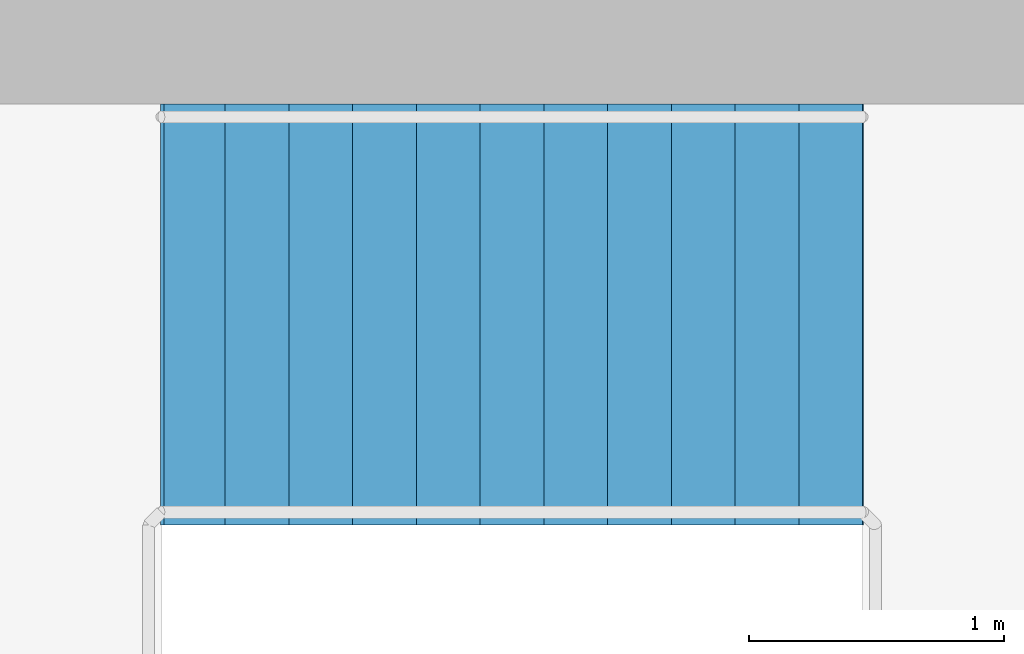
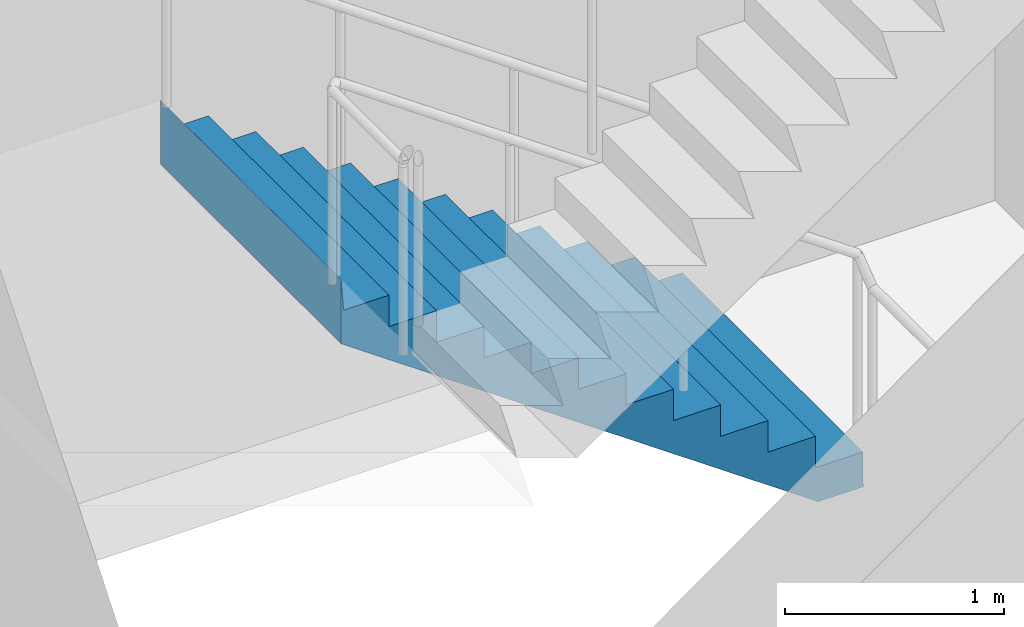
# One storey, part 18 of 19: 1 stair flight, 1 element without a shape of its own.
"""IFC4 building model written with IfcOpenShell, lengths in metres."""

from ifc_helpers import new_model, si_unit, direction, frame, origin, place, context, subcontext, project, spatial, triangles, material, type_object, element, aggregate, save


model = new_model("IFC4")

# Units and contexts
model_context = context("Model", 3, precision=1e-05, world=origin(), true_north=direction((0.0, 1.0)))
body_context = subcontext(model_context, "Body", "Model", "MODEL_VIEW")
ifc_project = project(units=[si_unit("LENGTHUNIT", "METRE"), si_unit("AREAUNIT", "SQUARE_METRE"), si_unit("VOLUMEUNIT", "CUBIC_METRE"), si_unit("PLANEANGLEUNIT", "RADIAN"), si_unit("MASSUNIT", "GRAM", prefix="KILO")], contexts=[model_context])

# Site, building, storey
site_placement = place(None, origin())
site = spatial("IfcSite", under=ifc_project, at=site_placement, CompositionType="ELEMENT")
building_placement = place(site_placement, origin())
building = spatial("IfcBuilding", under=site, at=building_placement, Name="Maasbend Ring Residences", CompositionType="ELEMENT")
storey_placement = place(building_placement, frame((0.0, 0.0, 53.300048828125)))
storey = spatial("IfcBuildingStorey", under=building, at=storey_placement, Name="L15", CompositionType="ELEMENT", Elevation=53.300048828125)

# Stair, stair flight
ifc_material_1 = material(Name="Concrete C40/50", Category="concrete")
stair_type = type_object("IfcStairType", Name="CORE STAIR 24 RISERS", PredefinedType="HALF_TURN_STAIR", material=ifc_material_1)
stair_placement = place(storey_placement, origin())
stair = element("IfcStair", 1, at=stair_placement, inside=storey, type_object=stair_type, Name="L15 Exit stair ST-E1", PredefinedType="HALF_TURN_STAIR")
ifc_material_2 = material(Name="Concrete C40/50", Category="concrete")
stair_flight_type = type_object("IfcStairFlightType", Name="CORE STAIR FLIGHT 1650", PredefinedType="STRAIGHT", material=ifc_material_2)
stair_flight_placement = place(storey_placement, frame((13.550048828125, 7.77490234375, 0.0), z_axis=(0.0, 0.0, 1.0), x_axis=(-1.0, 0.0, 0.0)))
stair_flight = element("IfcStairFlight", 2, at=stair_flight_placement, type_object=stair_flight_type, Name="ST-E1 flight 1", NumberOfRisers=12, NumberOfTreads=11, PredefinedType="STRAIGHT", RiserHeight=0.175, TreadLength=0.25, context=body_context, shape_type="Tessellation", body=[
    triangles([(0.23583984375, 0.824951171875, -0.02001953125), (2.7529296875, 0.824951171875, 1.741943359375), (2.7529296875, 0.824951171875, 2.10009765625), (2.739990234375, 0.824951171875, 1.925048828125), (2.5, 0.824951171875, 1.925048828125), (2.5, 0.824951171875, 1.75), (2.25, 0.824951171875, 1.75), (2.25, 0.824951171875, 1.574951171875), (2.0, 0.824951171875, 1.574951171875), (2.0, 0.824951171875, 1.39990234375), (1.75, 0.824951171875, 1.39990234375), (1.75, 0.824951171875, 1.22509765625), (1.5, 0.824951171875, 1.22509765625), (1.5, 0.824951171875, 1.050048828125), (1.25, 0.824951171875, 1.050048828125), (1.25, 0.824951171875, 0.875), (1.0, 0.824951171875, 0.875), (1.0, 0.824951171875, 0.699951171875), (0.75, 0.824951171875, 0.699951171875), (0.75, 0.824951171875, 0.52490234375), (0.5, 0.824951171875, 0.52490234375), (0.5, 0.824951171875, 0.35009765625), (0.25, 0.824951171875, 0.35009765625), (0.25, 0.824951171875, 0.175048828125), (0.0, 0.824951171875, 0.175048828125), (0.0, 0.824951171875, 0.0), (-0.0029296875, 0.824951171875, 0.0), (-0.0029296875, 0.824951171875, -0.02001953125), (0.23583984375, -0.824951171875, -0.02001953125), (2.7529296875, -0.824951171875, 1.741943359375), (2.7529296875, -0.824951171875, 2.10009765625), (2.739990234375, -0.824951171875, 1.925048828125), (2.5, -0.824951171875, 1.925048828125), (2.5, -0.824951171875, 1.75), (2.25, -0.824951171875, 1.75), (2.25, -0.824951171875, 1.574951171875), (2.0, -0.824951171875, 1.574951171875), (2.0, -0.824951171875, 1.39990234375), (1.75, -0.824951171875, 1.39990234375), (1.75, -0.824951171875, 1.22509765625), (1.5, -0.824951171875, 1.22509765625), (1.5, -0.824951171875, 1.050048828125), (1.25, -0.824951171875, 1.050048828125), (1.25, -0.824951171875, 0.875), (1.0, -0.824951171875, 0.875), (1.0, -0.824951171875, 0.699951171875), (0.75, -0.824951171875, 0.699951171875), (0.75, -0.824951171875, 0.52490234375), (0.5, -0.824951171875, 0.52490234375), (0.5, -0.824951171875, 0.35009765625), (0.25, -0.824951171875, 0.35009765625), (0.25, -0.824951171875, 0.175048828125), (0.0, -0.824951171875, 0.175048828125), (0.0, -0.824951171875, 0.0), (-0.0029296875, -0.824951171875, 0.0), (-0.0029296875, -0.824951171875, -0.02001953125)], [[1, 2, 30], [1, 30, 29], [2, 3, 31], [2, 31, 30], [3, 4, 32], [3, 32, 31], [4, 5, 33], [4, 33, 32], [5, 6, 34], [5, 34, 33], [6, 7, 35], [6, 35, 34], [7, 8, 36], [7, 36, 35], [8, 9, 37], [8, 37, 36], [9, 10, 38], [9, 38, 37], [10, 11, 39], [10, 39, 38], [11, 12, 40], [11, 40, 39], [12, 13, 41], [12, 41, 40], [13, 14, 42], [13, 42, 41], [14, 15, 43], [14, 43, 42], [15, 16, 44], [15, 44, 43], [16, 17, 45], [16, 45, 44], [17, 18, 46], [17, 46, 45], [18, 19, 47], [18, 47, 46], [19, 20, 48], [19, 48, 47], [20, 21, 49], [20, 49, 48], [21, 22, 50], [21, 50, 49], [22, 23, 51], [22, 51, 50], [23, 24, 52], [23, 52, 51], [24, 25, 53], [24, 53, 52], [25, 26, 54], [25, 54, 53], [26, 27, 55], [26, 55, 54], [27, 28, 56], [27, 56, 55], [28, 1, 29], [28, 29, 56], [28, 2, 1], [2, 4, 3], [2, 5, 4], [2, 6, 5], [28, 6, 2], [6, 8, 7], [28, 8, 6], [8, 10, 9], [28, 10, 8], [10, 12, 11], [28, 12, 10], [12, 14, 13], [28, 14, 12], [14, 16, 15], [28, 16, 14], [16, 18, 17], [28, 18, 16], [18, 20, 19], [28, 20, 18], [20, 22, 21], [28, 22, 20], [22, 24, 23], [28, 24, 22], [24, 26, 25], [28, 26, 24], [26, 28, 27], [56, 29, 30], [30, 31, 32], [30, 32, 33], [30, 33, 34], [56, 30, 34], [34, 35, 36], [56, 34, 36], [36, 37, 38], [56, 36, 38], [38, 39, 40], [56, 38, 40], [40, 41, 42], [56, 40, 42], [42, 43, 44], [56, 42, 44], [44, 45, 46], [56, 44, 46], [46, 47, 48], [56, 46, 48], [48, 49, 50], [56, 48, 50], [50, 51, 52], [56, 50, 52], [52, 53, 54], [56, 52, 54], [54, 55, 56]], closed=True),
])
aggregate(stair, [stair_flight])

save(model, "model.ifc")
